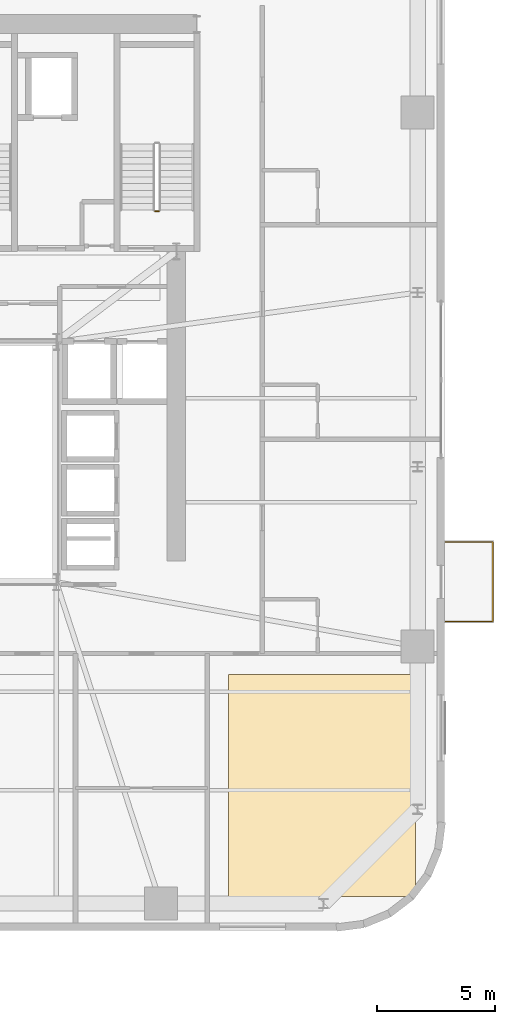
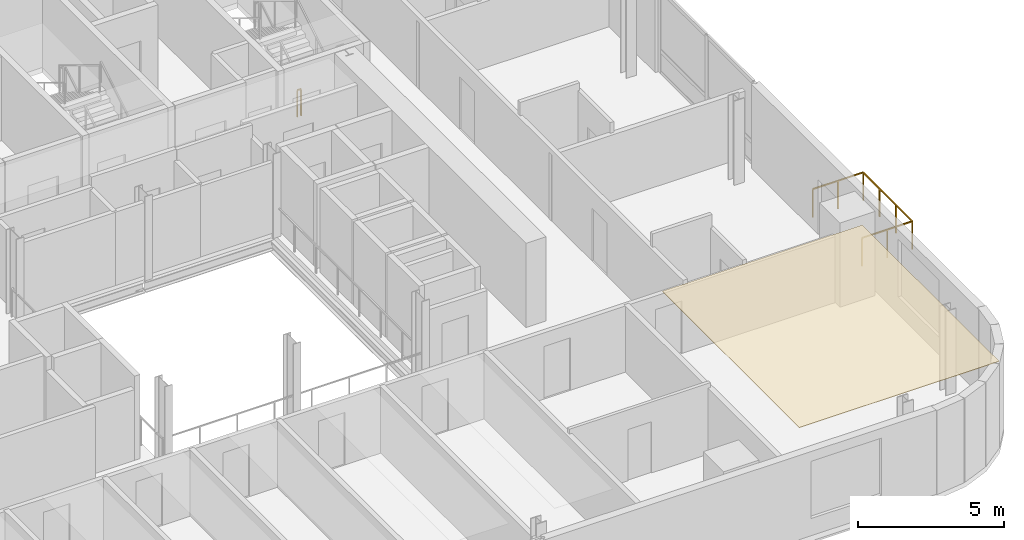
# One storey, part 15 of 17: 2 railings, 1 covering.
"""IFC4 building model written with IfcOpenShell, lengths in metres."""

import ifcopenshell
import ifcopenshell.guid

model = None  # the IFC model being written
_history = None  # IfcOwnerHistory: only IFC2X3 demands one
_inside = {}  # id of a spatial element -> (the spatial element, [elements in it])
_under = {}  # id of a project, library or spatial element -> (it, [spatial elements below it])
_declared = {}  # id of a project -> (the project, [libraries it declares])
_typed = {}  # id of a type object -> (the type object, [elements of that type])
_made_of = {}  # id of a material, layer set ... -> (it, [elements and type objects made of it])


def new_model(schema):
    """Start an empty IFC model of exactly this schema.

    Asked for "IFC4X3", IfcOpenShell would pick the latest addendum, in which some entities
    have other attributes; the version numbers below select the first issue.
    IFC2X3 requires an IfcOwnerHistory on every rooted entity: one is made here for all.
    """
    global model, _history
    if schema == "IFC4X3":
        model = ifcopenshell.file(schema_version=(4, 3, 0, 0))
    else:
        model = ifcopenshell.file(schema=schema)
    _inside.clear()
    _under.clear()
    _declared.clear()
    _typed.clear()
    _made_of.clear()
    _history = None
    if model.schema == "IFC2X3":
        org = make("IfcOrganization", Name="unknown")
        user = make(
            "IfcPersonAndOrganization",
            ThePerson=make("IfcPerson", FamilyName="unknown"),
            TheOrganization=org,
        )
        app = make(
            "IfcApplication",
            ApplicationDeveloper=org,
            Version="unknown",
            ApplicationFullName="unknown",
            ApplicationIdentifier="unknown",
        )
        _history = make(
            "IfcOwnerHistory",
            OwningUser=user,
            OwningApplication=app,
            ChangeAction="ADDED",
            CreationDate=0,
        )
    return model


def make(cls, **values):
    """One entity of the class cls with the attributes given. An attribute that is None is left unset."""
    return model.create_entity(
        cls, **{name: value for name, value in values.items() if value is not None}
    )


def rooted(cls, **values):
    """An entity with a GlobalId (a new one), such as an element, a storey or a relation."""
    return make(cls, GlobalId=ifcopenshell.guid.new(), OwnerHistory=_history, **values)


def si_unit(unit_type, name, prefix=None):
    """IfcSIUnit, for example si_unit("LENGTHUNIT", "METRE", prefix="MILLI")."""
    return make("IfcSIUnit", UnitType=unit_type, Prefix=prefix, Name=name)


def assignment(units):
    """IfcUnitAssignment: the units of a project."""
    return None if units is None else make("IfcUnitAssignment", Units=units)


def point(xyz):
    """IfcCartesianPoint."""
    return None if xyz is None else make("IfcCartesianPoint", Coordinates=xyz)


def direction(xyz):
    """IfcDirection."""
    return None if xyz is None else make("IfcDirection", DirectionRatios=xyz)


def frame(location, z_axis=None, x_axis=None):
    """IfcAxis2Placement3D, a coordinate frame: its origin and axes. An axis left out is left unset."""
    return make(
        "IfcAxis2Placement3D",
        Location=point(location),
        Axis=direction(z_axis),
        RefDirection=direction(x_axis),
    )


def frame_2d(location, x_axis=None):
    """IfcAxis2Placement2D, a coordinate frame in the plane: its origin and x axis."""
    return make(
        "IfcAxis2Placement2D", Location=point(location), RefDirection=direction(x_axis)
    )


def origin():
    """The frame at (0, 0, 0) with its axes left unset."""
    return frame((0.0, 0.0, 0.0))


def origin_2d():
    """The frame at (0, 0) in the plane with its x axis left unset."""
    return frame_2d((0.0, 0.0))


def place(relative_to, where):
    """IfcLocalPlacement: puts the frame where relative to a parent placement (None: the world)."""
    return make(
        "IfcLocalPlacement", PlacementRelTo=relative_to, RelativePlacement=where
    )


def context(
    kind, dimensions, precision=None, world=None, true_north=None, identifier=None
):
    """IfcGeometricRepresentationContext, for example the 3D "Model" context."""
    return make(
        "IfcGeometricRepresentationContext",
        ContextIdentifier=identifier,
        ContextType=kind,
        CoordinateSpaceDimension=dimensions,
        Precision=precision,
        WorldCoordinateSystem=world,
        TrueNorth=true_north,
    )


def subcontext(parent, identifier, kind, view, scale=None):
    """IfcGeometricRepresentationSubContext, for example "Body" below "Model"."""
    return make(
        "IfcGeometricRepresentationSubContext",
        ContextIdentifier=identifier,
        ContextType=kind,
        ParentContext=parent,
        TargetScale=scale,
        TargetView=view,
    )


def project(units=None, contexts=None):
    """IfcProject with its units and contexts."""
    return rooted(
        "IfcProject",
        Name="project",
        RepresentationContexts=contexts,
        UnitsInContext=assignment(units),
    )


def spatial(cls, under=None, at=None, **own):
    """A site, building, storey or space (cls), placed at a placement, below another one or the project."""
    s = rooted(cls, ObjectPlacement=at, **own)
    if under is not None:
        _under.setdefault(under.id(), (under, []))[1].append(s)
    return s


def polyline(points):
    """IfcPolyline through the points."""
    return make("IfcPolyline", Points=[point(p) for p in points])


def profile(cls, at=None, kind="AREA", **sizes):
    """A parametric profile (cls). Its sizes go by their IFC names, for example OverallWidth=200.0."""
    return make(cls, ProfileType=kind, Position=at, **sizes)


def rectangle(**sizes):
    """IfcRectangleProfileDef."""
    return profile("IfcRectangleProfileDef", **sizes)


def outline(outer, holes=None, kind="AREA"):
    """IfcArbitraryClosedProfileDef: a profile drawn as a closed curve; with holes, ...WithVoids."""
    if holes is None:
        return make("IfcArbitraryClosedProfileDef", ProfileType=kind, OuterCurve=outer)
    return make(
        "IfcArbitraryProfileDefWithVoids",
        ProfileType=kind,
        OuterCurve=outer,
        InnerCurves=holes,
    )


def extrude(swept, where, along, depth):
    """IfcExtrudedAreaSolid: the profile swept, set in the frame where, extruded along a direction by depth."""
    return make(
        "IfcExtrudedAreaSolid",
        SweptArea=swept,
        Position=where,
        ExtrudedDirection=direction(along),
        Depth=depth,
    )


def shape(context_of_items, identifier, shape_type, items):
    """IfcShapeRepresentation: the items that make up one representation, for example the "Body"."""
    return make(
        "IfcShapeRepresentation",
        ContextOfItems=context_of_items,
        RepresentationIdentifier=identifier,
        RepresentationType=shape_type,
        Items=items,
    )


def source(mapping_origin, context_of_items, identifier, shape_type, items):
    """IfcRepresentationMap: a shape defined once, which mapped items show again and again."""
    return make(
        "IfcRepresentationMap",
        MappingOrigin=mapping_origin,
        MappedRepresentation=shape(context_of_items, identifier, shape_type, items),
    )


def transform(
    local_origin,
    x_axis=None,
    y_axis=None,
    z_axis=None,
    scale=None,
    scale2=None,
    scale3=None,
    uniform=True,
):
    """IfcCartesianTransformationOperator3D, or its non-uniform kind. x_axis, y_axis, z_axis: its Axis1, 2, 3."""
    if uniform:
        return make(
            "IfcCartesianTransformationOperator3D",
            Axis1=direction(x_axis),
            Axis2=direction(y_axis),
            LocalOrigin=point(local_origin),
            Scale=scale,
            Axis3=direction(z_axis),
        )
    return make(
        "IfcCartesianTransformationOperator3DnonUniform",
        Axis1=direction(x_axis),
        Axis2=direction(y_axis),
        LocalOrigin=point(local_origin),
        Scale=scale,
        Axis3=direction(z_axis),
        Scale2=scale2,
        Scale3=scale3,
    )


def mapped(mapping_source, mapping_target):
    """IfcMappedItem: shows the shape of a source again, moved by a transform."""
    return make(
        "IfcMappedItem", MappingSource=mapping_source, MappingTarget=mapping_target
    )


def material(Name=None, Category=None):
    """IfcMaterial."""
    return make("IfcMaterial", Name=Name, Category=Category)


def layer(
    of_material, thickness, ventilated=None, Name=None, Category=None, Priority=None
):
    """IfcMaterialLayer: one layer of a wall or slab, of a material (None: an air gap)."""
    return make(
        "IfcMaterialLayer",
        Material=of_material,
        LayerThickness=thickness,
        IsVentilated=ventilated,
        Name=Name,
        Category=Category,
        Priority=Priority,
    )


def layer_set(layers, Name=None):
    """IfcMaterialLayerSet."""
    return make("IfcMaterialLayerSet", MaterialLayers=layers, LayerSetName=Name)


def made_of(thing, what):
    """Note that an element or type object is made of a material, layer set ...; save() writes the relation."""
    if what is not None:
        _made_of.setdefault(what.id(), (what, []))[1].append(thing)
    return thing


def type_object(cls, material=None, **own):
    """A type object (cls), such as IfcWallType, which elements share."""
    return made_of(rooted(cls, **own), material)


def element(
    cls,
    number,
    at=None,
    inside=None,
    cuts=None,
    type_object=None,
    material=None,
    context=None,
    identifier="Body",
    shape_type=None,
    held_by="IfcProductDefinitionShape",
    body=None,
    shapes=None,
    **own,
):
    """One element of the class cls, such as IfcWall. Its Tag is "e" and its number.

    at: its placement. inside: the storey or other place that contains it. cuts: it is an
    opening in that element (IfcRelVoidsElement). A single representation is given by context,
    identifier, shape_type and body (its items); several are given by shapes. held_by: the class
    of the entity that holds the representations. save() writes the other relations.
    """
    e = rooted(cls, Tag="e%d" % number, ObjectPlacement=at, **own)
    if body is not None:
        shapes = [shape(context, identifier, shape_type, body)]
    if shapes is not None:
        e.Representation = make(held_by, Representations=shapes)
    if inside is not None:
        _inside.setdefault(inside.id(), (inside, []))[1].append(e)
    if cuts is not None:
        rooted(
            "IfcRelVoidsElement", RelatingBuildingElement=cuts, RelatedOpeningElement=e
        )
    if type_object is not None:
        _typed.setdefault(type_object.id(), (type_object, []))[1].append(e)
    return made_of(e, material)


def aggregate(whole, parts):
    """IfcRelAggregates: a whole, such as a stair, and the parts it consists of."""
    return rooted("IfcRelAggregates", RelatingObject=whole, RelatedObjects=parts)


def save(model, path):
    """Write the relations noted so far, then the file.

    IfcRelAggregates (storeys below a building ...), IfcRelContainedInSpatialStructure (elements
    in a storey), IfcRelDefinesByType, IfcRelAssociatesMaterial and IfcRelDeclares: one each for
    every whole, place, type object, material and project.
    """
    for whole, parts in _under.values():
        aggregate(whole, parts)
    for where, things in _inside.values():
        rooted(
            "IfcRelContainedInSpatialStructure",
            RelatedElements=things,
            RelatingStructure=where,
        )
    for kind, things in _typed.values():
        rooted("IfcRelDefinesByType", RelatedObjects=things, RelatingType=kind)
    for what, things in _made_of.values():
        rooted("IfcRelAssociatesMaterial", RelatedObjects=things, RelatingMaterial=what)
    for by, libraries in _declared.values():
        rooted("IfcRelDeclares", RelatingContext=by, RelatedDefinitions=libraries)
    model.write(path)


model = new_model("IFC4")

# Units and contexts
model_context = context("Model", 3, precision=1e-05, world=origin(), true_north=direction((0.0, 1.0)))
body_context = subcontext(model_context, "Body", "Model", "MODEL_VIEW")
ifc_project = project(units=[si_unit("LENGTHUNIT", "METRE"), si_unit("AREAUNIT", "SQUARE_METRE"), si_unit("VOLUMEUNIT", "CUBIC_METRE"), si_unit("PLANEANGLEUNIT", "RADIAN"), si_unit("MASSUNIT", "GRAM", prefix="KILO")], contexts=[model_context])

# Site, building, storey
site_placement = place(None, origin())
site = spatial("IfcSite", under=ifc_project, at=site_placement, CompositionType="ELEMENT")
building_placement = place(site_placement, origin())
building = spatial("IfcBuilding", under=site, at=building_placement, Name="Vardaveli Station Tower", CompositionType="ELEMENT")
storey_placement = place(building_placement, frame((0.0, 0.0, 218.550048828125)))
storey = spatial("IfcBuildingStorey", under=building, at=storey_placement, Name="L56", CompositionType="ELEMENT", Elevation=218.550048828125)

# Covering
ifc_material_1 = material(Name="Perforated acoustic mineral ceiling")
ifc_layer = layer(ifc_material_1, 0.02001953125, Name="Perforated acoustic mineral ceiling")
ifc_layer_set = layer_set([ifc_layer], Name="Perforated acoustic mineral ceiling")
covering_type = type_object("IfcCoveringType", Name="COV-CEIL-AC20", PredefinedType="CEILING", material=ifc_layer_set)
covering_placement = place(storey_placement, frame((0.0, 0.0, 3.514892578125)))
element("IfcCovering", 1, at=covering_placement, inside=storey, type_object=covering_type, Name="CEIL-L56-7", PredefinedType="CEILING", context=body_context, shape_type="SweptSolid", body=[
    extrude(outline(polyline([(48.719970703125, 3.25), (56.64990234375, 3.25), (56.64990234375, 12.669921875), (48.719970703125, 12.669921875), (48.719970703125, 3.25)])), origin(), (0.0, 0.0, 1.0), 0.02001953125),
])

# Railings
ifc_material_2 = material(Name="Laminated glass and stainless steel balustrade", Category="steel")
railing_type_1 = type_object("IfcRailingType", Name="RL-BAL-1200", PredefinedType="BALUSTRADE", material=ifc_material_2)
shared_shape_1 = source(origin(), body_context, "Body", "SweptSolid", [
    extrude(rectangle(XDim=0.048095703125, YDim=0.048095703125, at=origin_2d()), frame((0.0, 0.0, 1.17578125), z_axis=(1.0, 0.0, 0.0), x_axis=(0.0, 1.0, 0.0)), (0.0, 0.0, 1.0), 2.0),
    extrude(rectangle(XDim=0.048095703125, YDim=0.048095703125, at=origin_2d()), frame((2.0, 0.0, 1.17578125), z_axis=(0.0, 1.0, 0.0), x_axis=(-1.0, 0.0, 0.0)), (0.0, 0.0, 1.0), 3.3798828125),
    extrude(rectangle(XDim=0.048095703125, YDim=0.048095703125, at=origin_2d()), frame((2.0, 3.3798828125, 1.17578125), z_axis=(-1.0, 0.0, 0.0), x_axis=(0.0, -1.0, 0.0)), (0.0, 0.0, 1.0), 2.0),
    extrude(rectangle(XDim=0.0419921875, YDim=0.0419921875, at=origin_2d()), origin(), (0.0, 0.0, 1.0), 1.15185546875),
    extrude(rectangle(XDim=0.0419921875, YDim=0.0419921875, at=origin_2d()), frame((1.0, 0.0, 0.0)), (0.0, 0.0, 1.0), 1.15185546875),
    extrude(rectangle(XDim=0.0419921875, YDim=0.0419921875, at=origin_2d()), frame((2.0, 0.0, 0.0)), (0.0, 0.0, 1.0), 1.15185546875),
    extrude(rectangle(XDim=0.0419921875, YDim=0.0419921875, at=origin_2d()), frame((2.0, 1.126708984375, 0.0)), (0.0, 0.0, 1.0), 1.15185546875),
    extrude(rectangle(XDim=0.0419921875, YDim=0.0419921875, at=origin_2d()), frame((2.0, 2.253173828125, 0.0)), (0.0, 0.0, 1.0), 1.15185546875),
    extrude(rectangle(XDim=0.0419921875, YDim=0.0419921875, at=origin_2d()), frame((2.0, 3.3798828125, 0.0)), (0.0, 0.0, 1.0), 1.15185546875),
    extrude(rectangle(XDim=0.0419921875, YDim=0.0419921875, at=origin_2d()), frame((1.0, 3.3798828125, 0.0)), (0.0, 0.0, 1.0), 1.15185546875),
    extrude(rectangle(XDim=0.0419921875, YDim=0.0419921875, at=origin_2d()), frame((0.0, 3.3798828125, 0.0)), (0.0, 0.0, 1.0), 1.15185546875),
])
railing_1_placement = place(storey_placement, frame((57.93994140625, 14.92041015625, 0.0)))
element("IfcRailing", 2, at=railing_1_placement, inside=storey, type_object=railing_type_1, Name="RL-LOG-L56-04", PredefinedType="BALUSTRADE", context=body_context, shape_type="MappedRepresentation", body=[
    mapped(shared_shape_1, transform((0.0, 0.0, 0.0), scale=1.0)),
])
ifc_material_3 = material(Name="Brushed AISI 316 stainless steel", Category="steel")
railing_type_2 = type_object("IfcRailingType", Name="RL-GUARD-1150", PredefinedType="GUARDRAIL", material=ifc_material_3)
shared_shape_2 = source(origin(), body_context, "Body", "SweptSolid", [
    extrude(rectangle(XDim=0.048095703125, YDim=0.048095703125, at=origin_2d()), frame((0.0, 0.0, 1.1259765625), z_axis=(-1.0, 0.0, 0.0), x_axis=(0.0, -1.0, 0.0)), (0.0, 0.0, 1.0), 0.14990234375),
    extrude(rectangle(XDim=0.0419921875, YDim=0.0419921875, at=origin_2d()), origin(), (0.0, 0.0, 1.0), 1.101806640625),
    extrude(rectangle(XDim=0.0419921875, YDim=0.0419921875, at=origin_2d()), frame((-0.14990234375, 0.0, 0.0)), (0.0, 0.0, 1.0), 1.101806640625),
])
railing_2_placement = place(storey_placement, frame((45.75, 32.35009765625, 0.0)))
element("IfcRailing", 3, at=railing_2_placement, inside=storey, type_object=railing_type_2, Name="L56 ST-3 stair guard 4", PredefinedType="GUARDRAIL", context=body_context, shape_type="MappedRepresentation", body=[
    mapped(shared_shape_2, transform((0.0, 0.0, 0.0), scale=1.0)),
])

save(model, "model.ifc")
